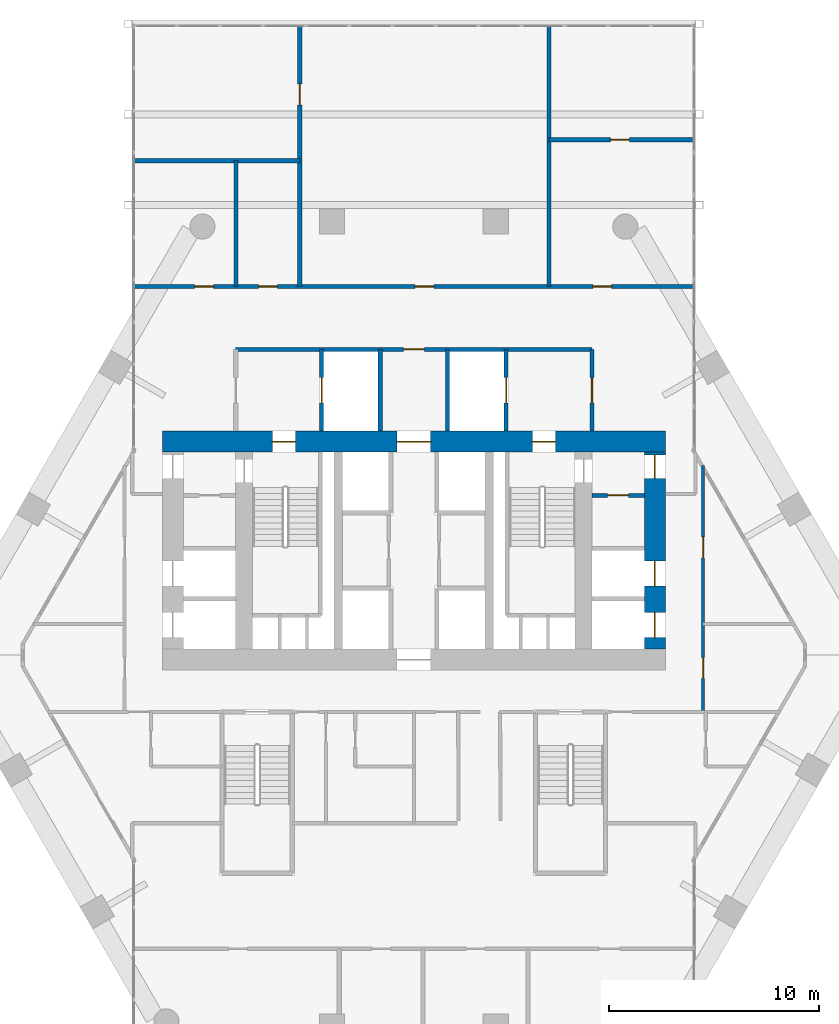
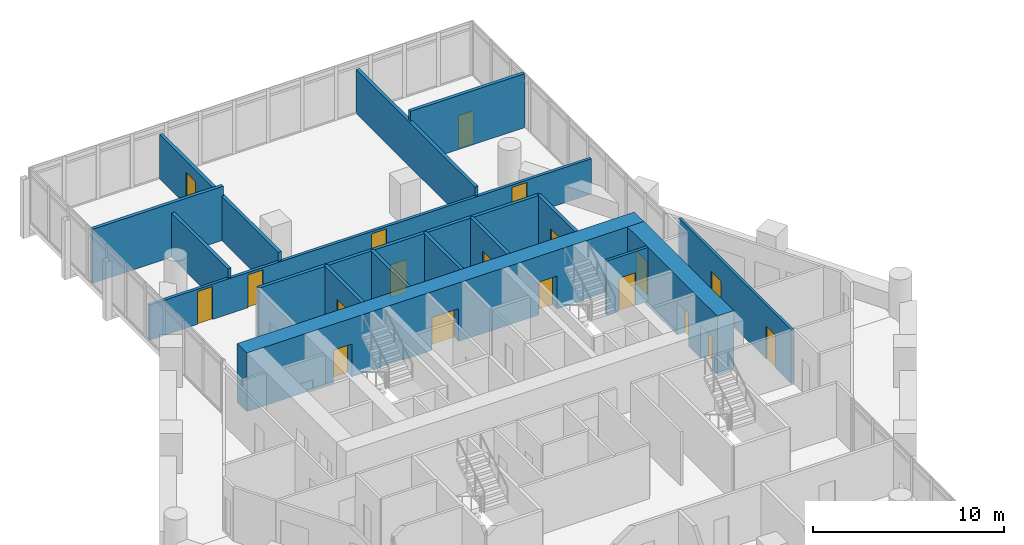
# One storey, part 26 of 28: 19 doors, 16 walls, 19 openings.
"""IFC4 building model written with IfcOpenShell, lengths in metres."""

from ifc_helpers import new_model, si_unit, direction, frame, frame_2d, origin, place, context, subcontext, project, spatial, rectangle, extrude, material, layer, layer_set, type_object, element, fill, save


model = new_model("IFC4")

# Units and contexts
model_context = context("Model", 3, precision=1e-05, world=origin(), true_north=direction((0.0, 1.0)))
body_context = subcontext(model_context, "Body", "Model", "MODEL_VIEW")
ifc_project = project(units=[si_unit("LENGTHUNIT", "METRE"), si_unit("AREAUNIT", "SQUARE_METRE"), si_unit("VOLUMEUNIT", "CUBIC_METRE"), si_unit("PLANEANGLEUNIT", "RADIAN"), si_unit("MASSUNIT", "GRAM", prefix="KILO")], contexts=[model_context])

# Site, building, storey
site_placement = place(None, origin())
site = spatial("IfcSite", under=ifc_project, at=site_placement, CompositionType="ELEMENT")
building_placement = place(site_placement, origin())
building = spatial("IfcBuilding", under=site, at=building_placement, Name="Ostrander Bayou Hotel Tower", CompositionType="ELEMENT")
storey_placement = place(building_placement, frame((0.0, 0.0, 134.75)))
storey = spatial("IfcBuildingStorey", under=building, at=storey_placement, Name="L33", CompositionType="ELEMENT", Elevation=134.75)

# Wall, openings, doors
ifc_material_1 = material(Name="Concrete f'c 70 MPa", Category="concrete")
ifc_layer_1 = layer(ifc_material_1, 1.0)
ifc_layer_set_1 = layer_set([ifc_layer_1], Name="CW4 core wall 1000 mm f'c 70 MPa")
wall_type_1 = type_object("IfcWallType", Name="CW4 core wall 1000 mm f'c 70 MPa", PredefinedType="SHEAR", material=ifc_layer_set_1)
wall_1_placement = place(storey_placement, frame((-12.0, 9.199951171875, -0.300048828125), z_axis=(0.0, 0.0, 1.0), x_axis=(1.0, 0.0, 0.0)))
wall_1 = element("IfcWall", 1, at=wall_1_placement, inside=storey, type_object=wall_type_1, Name="CW4 L33 N", PredefinedType="SHEAR", context=body_context, shape_type="SweptSolid", body=[
    extrude(rectangle(XDim=24.0, YDim=1.0, at=frame_2d((12.0, 0.0))), origin(), (0.0, 0.0, 1.0), 3.75),
])
opening_1_placement = place(wall_1_placement, frame((11.199951171875, 0.0, 0.0)))
opening_1 = element("IfcOpeningElement", 2, at=opening_1_placement, cuts=wall_1, Name="Opening T32-002", PredefinedType="OPENING", context=body_context, shape_type="SweptSolid", body=[
    extrude(rectangle(XDim=1.60009765625, YDim=2.10009765625, at=frame_2d((0.800048828125, 1.050048828125))), frame((0.0, 0.5, 0.0), z_axis=(0.0, -1.0, 0.0), x_axis=(1.0, 0.0, 0.0)), (0.0, 0.0, 1.0), 1.0),
])
opening_2_placement = place(wall_1_placement, frame((5.25, 0.0, 0.0)))
opening_2 = element("IfcOpeningElement", 3, at=opening_2_placement, cuts=wall_1, Name="Opening T32-003", PredefinedType="OPENING", context=body_context, shape_type="SweptSolid", body=[
    extrude(rectangle(XDim=1.10009765625, YDim=2.10009765625, at=frame_2d((0.550048828125, 1.050048828125))), frame((0.0, 0.5, 0.0), z_axis=(0.0, -1.0, 0.0), x_axis=(1.0, 0.0, 0.0)), (0.0, 0.0, 1.0), 1.0),
])
opening_3_placement = place(wall_1_placement, frame((17.64990234375, 0.0, 0.0)))
opening_3 = element("IfcOpeningElement", 4, at=opening_3_placement, cuts=wall_1, Name="Opening T32-005", PredefinedType="OPENING", context=body_context, shape_type="SweptSolid", body=[
    extrude(rectangle(XDim=1.10009765625, YDim=2.10009765625, at=frame_2d((0.550048828125, 1.050048828125))), frame((0.0, 0.5, 0.0), z_axis=(0.0, -1.0, 0.0), x_axis=(1.0, 0.0, 0.0)), (0.0, 0.0, 1.0), 1.0),
])
ifc_material_2 = material(Name="Timber door leaf", Category="wood")
door_type_1 = type_object("IfcDoorType", Name="D13 double door 1600 x 2100 mm, 1 hour", OperationType="SINGLE_SWING_LEFT", PredefinedType="DOOR", material=ifc_material_2)
door_1_placement = place(opening_1_placement, origin())
door_1 = element("IfcDoor", 5, at=door_1_placement, inside=storey, type_object=door_type_1, Name="dr:L33:002", OperationType="DOUBLE_DOOR_SINGLE_SWING", OverallHeight=2.10009765625, OverallWidth=1.60009765625, PredefinedType="DOOR", context=body_context, shape_type="SweptSolid", body=[
    extrude(rectangle(XDim=1.60009765625, YDim=2.10009765625, at=frame_2d((0.800048828125, 1.050048828125))), frame((0.0, 0.02490234375, 0.0), z_axis=(0.0, -1.0, 0.0), x_axis=(1.0, 0.0, 0.0)), (0.0, 0.0, 1.0), 0.050048828125),
])
fill(opening_1, door_1)
ifc_material_3 = material(Name="Timber door leaf", Category="wood")
door_type_2 = type_object("IfcDoorType", Name="D5 stair door 1100 x 2100 mm, 90 minute", OperationType="SINGLE_SWING_LEFT", PredefinedType="DOOR", material=ifc_material_3)
door_2_placement = place(opening_2_placement, origin())
door_2 = element("IfcDoor", 6, at=door_2_placement, inside=storey, type_object=door_type_2, Name="dr:L33:003", OperationType="SINGLE_SWING_LEFT", OverallHeight=2.10009765625, OverallWidth=1.10009765625, PredefinedType="DOOR", context=body_context, shape_type="SweptSolid", body=[
    extrude(rectangle(XDim=1.10009765625, YDim=2.10009765625, at=frame_2d((0.550048828125, 1.050048828125))), frame((0.0, 0.02490234375, 0.0), z_axis=(0.0, -1.0, 0.0), x_axis=(1.0, 0.0, 0.0)), (0.0, 0.0, 1.0), 0.050048828125),
])
fill(opening_2, door_2)
door_3_placement = place(opening_3_placement, origin())
door_3 = element("IfcDoor", 7, at=door_3_placement, inside=storey, type_object=door_type_2, Name="dr:L33:005", OperationType="SINGLE_SWING_RIGHT", OverallHeight=2.10009765625, OverallWidth=1.10009765625, PredefinedType="DOOR", context=body_context, shape_type="SweptSolid", body=[
    extrude(rectangle(XDim=1.10009765625, YDim=2.10009765625, at=frame_2d((0.550048828125, 1.050048828125))), frame((0.0, 0.02490234375, 0.0), z_axis=(0.0, -1.0, 0.0), x_axis=(1.0, 0.0, 0.0)), (0.0, 0.0, 1.0), 0.050048828125),
])
fill(opening_3, door_3)

wall_2_placement = place(storey_placement, frame((11.5, -0.699951171875, -0.300048828125), z_axis=(0.0, 0.0, 1.0), x_axis=(0.0, 1.0, 0.0)))
wall_2 = element("IfcWall", 8, at=wall_2_placement, inside=storey, type_object=wall_type_1, Name="CW4 L33 RE", PredefinedType="SHEAR", context=body_context, shape_type="SweptSolid", body=[
    extrude(rectangle(XDim=9.39990234375, YDim=1.0, at=frame_2d((4.699951171875, 0.0))), origin(), (0.0, 0.0, 1.0), 3.75),
])
opening_4_placement = place(wall_2_placement, frame((8.14990234375, 0.0, 0.0)))
opening_4 = element("IfcOpeningElement", 9, at=opening_4_placement, cuts=wall_2, Name="Opening T32-021", PredefinedType="OPENING", context=body_context, shape_type="SweptSolid", body=[
    extrude(rectangle(XDim=1.10009765625, YDim=2.10009765625, at=frame_2d((0.550048828125, 1.050048828125))), frame((0.0, 0.5, 0.0), z_axis=(0.0, -1.0, 0.0), x_axis=(1.0, 0.0, 0.0)), (0.0, 0.0, 1.0), 1.0),
])
opening_5_placement = place(wall_2_placement, frame((0.550048828125, 0.0, 0.0)))
opening_5 = element("IfcOpeningElement", 10, at=opening_5_placement, cuts=wall_2, Name="Opening T32-022", PredefinedType="OPENING", context=body_context, shape_type="SweptSolid", body=[
    extrude(rectangle(XDim=1.199951171875, YDim=2.10009765625, at=frame_2d((0.60009765625, 1.050048828125))), frame((0.0, 0.5, 0.0), z_axis=(0.0, -1.0, 0.0), x_axis=(1.0, 0.0, 0.0)), (0.0, 0.0, 1.0), 1.0),
])
opening_6_placement = place(wall_2_placement, frame((3.0, 0.0, 0.0)))
opening_6 = element("IfcOpeningElement", 11, at=opening_6_placement, cuts=wall_2, Name="Opening T32-023", PredefinedType="OPENING", context=body_context, shape_type="SweptSolid", body=[
    extrude(rectangle(XDim=1.199951171875, YDim=2.10009765625, at=frame_2d((0.60009765625, 1.050048828125))), frame((0.0, 0.5, 0.0), z_axis=(0.0, -1.0, 0.0), x_axis=(1.0, 0.0, 0.0)), (0.0, 0.0, 1.0), 1.0),
])
door_4_placement = place(opening_4_placement, origin())
door_4 = element("IfcDoor", 12, at=door_4_placement, inside=storey, type_object=door_type_2, Name="dr:L33:021", OperationType="SINGLE_SWING_RIGHT", OverallHeight=2.10009765625, OverallWidth=1.10009765625, PredefinedType="DOOR", context=body_context, shape_type="SweptSolid", body=[
    extrude(rectangle(XDim=1.10009765625, YDim=2.10009765625, at=frame_2d((0.550048828125, 1.050048828125))), frame((0.0, 0.02490234375, 0.0), z_axis=(0.0, -1.0, 0.0), x_axis=(1.0, 0.0, 0.0)), (0.0, 0.0, 1.0), 0.050048828125),
])
fill(opening_4, door_4)
ifc_material_4 = material(Name="Stainless steel sliding door", Category="steel")
door_type_3 = type_object("IfcDoorType", Name="LD1 lift landing door 1200 x 2100 mm", OperationType="SINGLE_SWING_LEFT", PredefinedType="DOOR", material=ifc_material_4)
door_5_placement = place(opening_5_placement, origin())
door_5 = element("IfcDoor", 13, at=door_5_placement, inside=storey, type_object=door_type_3, Name="dr:L33:022", OperationType="SLIDING_TO_LEFT", OverallHeight=2.10009765625, OverallWidth=1.199951171875, PredefinedType="DOOR", context=body_context, shape_type="SweptSolid", body=[
    extrude(rectangle(XDim=1.199951171875, YDim=2.10009765625, at=frame_2d((0.60009765625, 1.050048828125))), frame((0.0, 0.02490234375, 0.0), z_axis=(0.0, -1.0, 0.0), x_axis=(1.0, 0.0, 0.0)), (0.0, 0.0, 1.0), 0.050048828125),
])
fill(opening_5, door_5)
door_6_placement = place(opening_6_placement, origin())
door_6 = element("IfcDoor", 14, at=door_6_placement, inside=storey, type_object=door_type_3, Name="dr:L33:023", OperationType="SLIDING_TO_LEFT", OverallHeight=2.10009765625, OverallWidth=1.199951171875, PredefinedType="DOOR", context=body_context, shape_type="SweptSolid", body=[
    extrude(rectangle(XDim=1.199951171875, YDim=2.10009765625, at=frame_2d((0.60009765625, 1.050048828125))), frame((0.0, 0.02490234375, 0.0), z_axis=(0.0, -1.0, 0.0), x_axis=(1.0, 0.0, 0.0)), (0.0, 0.0, 1.0), 0.050048828125),
])
fill(opening_6, door_6)

# Wall
ifc_material_5 = material(Name="Gypsum board partition", Category="finish")
ifc_layer_2 = layer(ifc_material_5, 0.199951171875)
ifc_layer_set_2 = layer_set([ifc_layer_2], Name="PT3 demising wall 200 mm acoustic double stud, 1 hour")
wall_type_2 = type_object("IfcWallType", Name="PT3 demising wall 200 mm acoustic double stud, 1 hour", PredefinedType="PARTITIONING", material=ifc_layer_set_2)
wall_3_placement = place(storey_placement, frame((-13.34814453125, 22.60009765625, 0.0), z_axis=(0.0, 0.0, 1.0), x_axis=(1.0, 0.0, 0.0)))
element("IfcWall", 15, at=wall_3_placement, inside=storey, type_object=wall_type_2, Name="sw:L33:503", PredefinedType="PARTITIONING", context=body_context, shape_type="SweptSolid", body=[
    extrude(rectangle(XDim=7.906005859375, YDim=0.199951171875, at=frame_2d((3.953125, 0.0))), origin(), (0.0, 0.0, 1.0), 3.449951171875),
])

# Wall, opening, door
wall_4_placement = place(storey_placement, frame((6.442138671875, 23.60009765625, 0.0), z_axis=(0.0, 0.0, 1.0), x_axis=(1.0, 0.0, 0.0)))
wall_4 = element("IfcWall", 16, at=wall_4_placement, inside=storey, type_object=wall_type_2, Name="sw:L33:504", PredefinedType="PARTITIONING", context=body_context, shape_type="SweptSolid", body=[
    extrude(rectangle(XDim=6.906005859375, YDim=0.199951171875, at=frame_2d((3.453125, 0.0))), origin(), (0.0, 0.0, 1.0), 3.449951171875),
])
opening_7_placement = place(wall_4_placement, frame((2.93505859375, 0.0, 0.0)))
opening_7 = element("IfcOpeningElement", 17, at=opening_7_placement, cuts=wall_4, Name="Opening T32-1206", PredefinedType="OPENING", context=body_context, shape_type="SweptSolid", body=[
    extrude(rectangle(XDim=0.89990234375, YDim=2.10009765625, at=frame_2d((0.449951171875, 1.050048828125))), frame((0.0, 0.10009765625, 0.0), z_axis=(0.0, -1.0, 0.0), x_axis=(1.0, 0.0, 0.0)), (0.0, 0.0, 1.0), 0.199951171875),
])
ifc_material_6 = material(Name="Timber door leaf", Category="wood")
door_type_4 = type_object("IfcDoorType", Name="D8 room door 900 x 2100 mm", OperationType="SINGLE_SWING_LEFT", PredefinedType="DOOR", material=ifc_material_6)
door_7_placement = place(opening_7_placement, origin())
door_7 = element("IfcDoor", 18, at=door_7_placement, inside=storey, type_object=door_type_4, Name="dr:L33:1206", OperationType="SINGLE_SWING_RIGHT", OverallHeight=2.10009765625, OverallWidth=0.89990234375, PredefinedType="DOOR", context=body_context, shape_type="SweptSolid", body=[
    extrude(rectangle(XDim=0.89990234375, YDim=2.10009765625, at=frame_2d((0.449951171875, 1.050048828125))), frame((0.0, 0.02490234375, 0.0), z_axis=(0.0, -1.0, 0.0), x_axis=(1.0, 0.0, 0.0)), (0.0, 0.0, 1.0), 0.050048828125),
])
fill(opening_7, door_7)

# Wall
wall_5_placement = place(storey_placement, frame((-8.48193359375, 16.60009765625, 0.0), z_axis=(0.0, 0.0, 1.0), x_axis=(0.0, 1.0, 0.0)))
element("IfcWall", 19, at=wall_5_placement, inside=storey, type_object=wall_type_2, Name="sw:L33:505", PredefinedType="PARTITIONING", context=body_context, shape_type="SweptSolid", body=[
    extrude(rectangle(XDim=6.0, YDim=0.199951171875, at=frame_2d((3.0, 0.0))), origin(), (0.0, 0.0, 1.0), 2.828125),
])

# Wall, opening, door
wall_6_placement = place(storey_placement, frame((-5.44189453125, 16.60009765625, 0.0), z_axis=(0.0, 0.0, 1.0), x_axis=(0.0, 1.0, 0.0)))
wall_6 = element("IfcWall", 20, at=wall_6_placement, inside=storey, type_object=wall_type_2, Name="sw:L33:506", PredefinedType="PARTITIONING", context=body_context, shape_type="SweptSolid", body=[
    extrude(rectangle(XDim=12.41796875, YDim=0.199951171875, at=frame_2d((6.208984375, 0.0))), origin(), (0.0, 0.0, 1.0), 2.828125),
])
opening_8_placement = place(wall_6_placement, frame((8.653564453125, 0.0, 0.0)))
opening_8 = element("IfcOpeningElement", 21, at=opening_8_placement, cuts=wall_6, Name="Opening T32-1207", PredefinedType="OPENING", context=body_context, shape_type="SweptSolid", body=[
    extrude(rectangle(XDim=1.0, YDim=2.10009765625, at=frame_2d((0.5, 1.050048828125))), frame((0.0, 0.10009765625, 0.0), z_axis=(0.0, -1.0, 0.0), x_axis=(1.0, 0.0, 0.0)), (0.0, 0.0, 1.0), 0.199951171875),
])
ifc_material_7 = material(Name="Timber door leaf", Category="wood")
door_type_5 = type_object("IfcDoorType", Name="D9 service door 1000 x 2100 mm, 30 minute", OperationType="SINGLE_SWING_LEFT", PredefinedType="DOOR", material=ifc_material_7)
door_8_placement = place(opening_8_placement, origin())
door_8 = element("IfcDoor", 22, at=door_8_placement, inside=storey, type_object=door_type_5, Name="dr:L33:1207", OperationType="SINGLE_SWING_LEFT", OverallHeight=2.10009765625, OverallWidth=1.0, PredefinedType="DOOR", context=body_context, shape_type="SweptSolid", body=[
    extrude(rectangle(XDim=1.0, YDim=2.10009765625, at=frame_2d((0.5, 1.050048828125))), frame((0.0, 0.02490234375, 0.0), z_axis=(0.0, -1.0, 0.0), x_axis=(1.0, 0.0, 0.0)), (0.0, 0.0, 1.0), 0.050048828125),
])
fill(opening_8, door_8)

# Wall
wall_7_placement = place(storey_placement, frame((6.44189453125, 16.60009765625, 0.0), z_axis=(0.0, 0.0, 1.0), x_axis=(0.0, 1.0, 0.0)))
element("IfcWall", 23, at=wall_7_placement, inside=storey, type_object=wall_type_2, Name="sw:L33:510", PredefinedType="PARTITIONING", context=body_context, shape_type="SweptSolid", body=[
    extrude(rectangle(XDim=12.41796875, YDim=0.199951171875, at=frame_2d((6.208984375, 0.0))), origin(), (0.0, 0.0, 1.0), 2.828125),
])

# Wall, opening, door
ifc_material_8 = material(Name="Gypsum board partition", Category="finish")
ifc_layer_3 = layer(ifc_material_8, 0.175048828125)
ifc_layer_set_3 = layer_set([ifc_layer_3], Name="PT4 corridor wall 175 mm, 1 hour")
wall_type_3 = type_object("IfcWallType", Name="PT4 corridor wall 175 mm, 1 hour", PredefinedType="PARTITIONING", material=ifc_layer_set_3)
wall_8_placement = place(storey_placement, frame((8.5, 6.6298828125, 0.0), z_axis=(0.0, 0.0, 1.0), x_axis=(1.0, 0.0, 0.0)))
wall_8 = element("IfcWall", 24, at=wall_8_placement, inside=storey, type_object=wall_type_3, Name="cs:L33:039", PredefinedType="PARTITIONING", context=body_context, shape_type="SweptSolid", body=[
    extrude(rectangle(XDim=2.5, YDim=0.175048828125, at=frame_2d((1.25, 0.0))), origin(), (0.0, 0.0, 1.0), 3.449951171875),
])
opening_9_placement = place(wall_8_placement, frame((0.75, 0.0, 0.0)))
opening_9 = element("IfcOpeningElement", 25, at=opening_9_placement, cuts=wall_8, Name="Opening T32-020", PredefinedType="OPENING", context=body_context, shape_type="SweptSolid", body=[
    extrude(rectangle(XDim=1.0, YDim=2.10009765625, at=frame_2d((0.5, 1.050048828125))), frame((0.0, 0.08740234375, 0.0), z_axis=(0.0, -1.0, 0.0), x_axis=(1.0, 0.0, 0.0)), (0.0, 0.0, 1.0), 0.175048828125),
])
ifc_material_9 = material(Name="Timber door leaf", Category="wood")
door_type_6 = type_object("IfcDoorType", Name="D4 corridor door 1000 x 2100 mm, 1 hour", OperationType="SINGLE_SWING_LEFT", PredefinedType="DOOR", material=ifc_material_9)
door_9_placement = place(opening_9_placement, origin())
door_9 = element("IfcDoor", 26, at=door_9_placement, inside=storey, type_object=door_type_6, Name="dr:L33:020", OperationType="SINGLE_SWING_RIGHT", OverallHeight=2.10009765625, OverallWidth=1.0, PredefinedType="DOOR", context=body_context, shape_type="SweptSolid", body=[
    extrude(rectangle(XDim=1.0, YDim=2.10009765625, at=frame_2d((0.5, 1.050048828125))), frame((0.0, 0.02490234375, 0.0), z_axis=(0.0, -1.0, 0.0), x_axis=(1.0, 0.0, 0.0)), (0.0, 0.0, 1.0), 0.050048828125),
])
fill(opening_9, door_9)

# Wall, openings, doors
wall_9_placement = place(storey_placement, frame((-13.34814453125, 16.60009765625, 0.0), z_axis=(0.0, 0.0, 1.0), x_axis=(1.0, 0.0, 0.0)))
wall_9 = element("IfcWall", 27, at=wall_9_placement, inside=storey, type_object=wall_type_3, Name="sw:L33:501", PredefinedType="PARTITIONING", context=body_context, shape_type="SweptSolid", body=[
    extrude(rectangle(XDim=26.6962890625, YDim=0.175048828125, at=frame_2d((13.34814453125, 0.0))), origin(), (0.0, 0.0, 1.0), 2.25),
])
opening_10_placement = place(wall_9_placement, frame((21.885498046875, 0.0, 0.0)))
opening_10 = element("IfcOpeningElement", 28, at=opening_10_placement, cuts=wall_9, Name="Opening T32-1205", PredefinedType="OPENING", context=body_context, shape_type="SweptSolid", body=[
    extrude(rectangle(XDim=0.89990234375, YDim=2.10009765625, at=frame_2d((0.449951171875, 1.050048828125))), frame((0.0, 0.08740234375, 0.0), z_axis=(0.0, -1.0, 0.0), x_axis=(1.0, 0.0, 0.0)), (0.0, 0.0, 1.0), 0.175048828125),
])
opening_11_placement = place(wall_9_placement, frame((2.89111328125, 0.0, 0.0)))
opening_11 = element("IfcOpeningElement", 29, at=opening_11_placement, cuts=wall_9, Name="Opening T32-1208", PredefinedType="OPENING", context=body_context, shape_type="SweptSolid", body=[
    extrude(rectangle(XDim=0.89990234375, YDim=2.10009765625, at=frame_2d((0.449951171875, 1.050048828125))), frame((0.0, 0.08740234375, 0.0), z_axis=(0.0, -1.0, 0.0), x_axis=(1.0, 0.0, 0.0)), (0.0, 0.0, 1.0), 0.175048828125),
])
opening_12_placement = place(wall_9_placement, frame((5.93603515625, 0.0, 0.0)))
opening_12 = element("IfcOpeningElement", 30, at=opening_12_placement, cuts=wall_9, Name="Opening T32-1209", PredefinedType="OPENING", context=body_context, shape_type="SweptSolid", body=[
    extrude(rectangle(XDim=0.89990234375, YDim=2.10009765625, at=frame_2d((0.449951171875, 1.050048828125))), frame((0.0, 0.08740234375, 0.0), z_axis=(0.0, -1.0, 0.0), x_axis=(1.0, 0.0, 0.0)), (0.0, 0.0, 1.0), 0.175048828125),
])
opening_13_placement = place(wall_9_placement, frame((13.398193359375, 0.0, 0.0)))
opening_13 = element("IfcOpeningElement", 31, at=opening_13_placement, cuts=wall_9, Name="Opening T32-1210", PredefinedType="OPENING", context=body_context, shape_type="SweptSolid", body=[
    extrude(rectangle(XDim=0.89990234375, YDim=2.10009765625, at=frame_2d((0.449951171875, 1.050048828125))), frame((0.0, 0.08740234375, 0.0), z_axis=(0.0, -1.0, 0.0), x_axis=(1.0, 0.0, 0.0)), (0.0, 0.0, 1.0), 0.175048828125),
])
door_10_placement = place(opening_10_placement, origin())
door_10 = element("IfcDoor", 32, at=door_10_placement, inside=storey, type_object=door_type_4, Name="dr:L33:1205", OperationType="SINGLE_SWING_LEFT", OverallHeight=2.10009765625, OverallWidth=0.89990234375, PredefinedType="DOOR", context=body_context, shape_type="SweptSolid", body=[
    extrude(rectangle(XDim=0.89990234375, YDim=2.10009765625, at=frame_2d((0.449951171875, 1.050048828125))), frame((0.0, 0.02490234375, 0.0), z_axis=(0.0, -1.0, 0.0), x_axis=(1.0, 0.0, 0.0)), (0.0, 0.0, 1.0), 0.050048828125),
])
fill(opening_10, door_10)
door_11_placement = place(opening_11_placement, origin())
door_11 = element("IfcDoor", 33, at=door_11_placement, inside=storey, type_object=door_type_4, Name="dr:L33:1208", OperationType="SINGLE_SWING_RIGHT", OverallHeight=2.10009765625, OverallWidth=0.89990234375, PredefinedType="DOOR", context=body_context, shape_type="SweptSolid", body=[
    extrude(rectangle(XDim=0.89990234375, YDim=2.10009765625, at=frame_2d((0.449951171875, 1.050048828125))), frame((0.0, 0.02490234375, 0.0), z_axis=(0.0, -1.0, 0.0), x_axis=(1.0, 0.0, 0.0)), (0.0, 0.0, 1.0), 0.050048828125),
])
fill(opening_11, door_11)
door_12_placement = place(opening_12_placement, origin())
door_12 = element("IfcDoor", 34, at=door_12_placement, inside=storey, type_object=door_type_4, Name="dr:L33:1209", OperationType="SINGLE_SWING_LEFT", OverallHeight=2.10009765625, OverallWidth=0.89990234375, PredefinedType="DOOR", context=body_context, shape_type="SweptSolid", body=[
    extrude(rectangle(XDim=0.89990234375, YDim=2.10009765625, at=frame_2d((0.449951171875, 1.050048828125))), frame((0.0, 0.02490234375, 0.0), z_axis=(0.0, -1.0, 0.0), x_axis=(1.0, 0.0, 0.0)), (0.0, 0.0, 1.0), 0.050048828125),
])
fill(opening_12, door_12)
door_13_placement = place(opening_13_placement, origin())
door_13 = element("IfcDoor", 35, at=door_13_placement, inside=storey, type_object=door_type_4, Name="dr:L33:1210", OperationType="SINGLE_SWING_RIGHT", OverallHeight=2.10009765625, OverallWidth=0.89990234375, PredefinedType="DOOR", context=body_context, shape_type="SweptSolid", body=[
    extrude(rectangle(XDim=0.89990234375, YDim=2.10009765625, at=frame_2d((0.449951171875, 1.050048828125))), frame((0.0, 0.02490234375, 0.0), z_axis=(0.0, -1.0, 0.0), x_axis=(1.0, 0.0, 0.0)), (0.0, 0.0, 1.0), 0.050048828125),
])
fill(opening_13, door_13)

# Wall, opening, door
ifc_material_10 = material(Name="Masonry block", Category="masonry")
ifc_layer_4 = layer(ifc_material_10, 0.199951171875)
ifc_layer_set_4 = layer_set([ifc_layer_4], Name="PT5 stair enclosure wall 200 mm masonry, 2 hour")
wall_type_4 = type_object("IfcWallType", Name="PT5 stair enclosure wall 200 mm masonry, 2 hour", PredefinedType="PARTITIONING", material=ifc_layer_set_4)
wall_10_placement = place(storey_placement, frame((-8.5, 13.60009765625, 0.0), z_axis=(0.0, 0.0, 1.0), x_axis=(1.0, 0.0, 0.0)))
wall_10 = element("IfcWall", 36, at=wall_10_placement, inside=storey, type_object=wall_type_4, Name="cs:L33:025", PredefinedType="PARTITIONING", context=body_context, shape_type="SweptSolid", body=[
    extrude(rectangle(XDim=17.0, YDim=0.199951171875, at=frame_2d((8.5, 0.0))), origin(), (0.0, 0.0, 1.0), 3.449951171875),
])
opening_14_placement = place(wall_10_placement, frame((8.0, 0.0, 0.0)))
opening_14 = element("IfcOpeningElement", 37, at=opening_14_placement, cuts=wall_10, Name="Opening T32-013", PredefinedType="OPENING", context=body_context, shape_type="SweptSolid", body=[
    extrude(rectangle(XDim=1.0, YDim=2.10009765625, at=frame_2d((0.5, 1.050048828125))), frame((0.0, 0.10009765625, 0.0), z_axis=(0.0, -1.0, 0.0), x_axis=(1.0, 0.0, 0.0)), (0.0, 0.0, 1.0), 0.199951171875),
])
door_14_placement = place(opening_14_placement, origin())
door_14 = element("IfcDoor", 38, at=door_14_placement, inside=storey, type_object=door_type_5, Name="dr:L33:013", OperationType="SINGLE_SWING_LEFT", OverallHeight=2.10009765625, OverallWidth=1.0, PredefinedType="DOOR", context=body_context, shape_type="SweptSolid", body=[
    extrude(rectangle(XDim=1.0, YDim=2.10009765625, at=frame_2d((0.5, 1.050048828125))), frame((0.0, 0.02490234375, 0.0), z_axis=(0.0, -1.0, 0.0), x_axis=(1.0, 0.0, 0.0)), (0.0, 0.0, 1.0), 0.050048828125),
])
fill(opening_14, door_14)

wall_11_placement = place(storey_placement, frame((8.5, 9.699951171875, 0.0), z_axis=(0.0, 0.0, 1.0), x_axis=(0.0, 1.0, 0.0)))
wall_11 = element("IfcWall", 39, at=wall_11_placement, inside=storey, type_object=wall_type_4, Name="cs:L33:027", PredefinedType="PARTITIONING", context=body_context, shape_type="SweptSolid", body=[
    extrude(rectangle(XDim=3.900146484375, YDim=0.199951171875, at=frame_2d((1.9501953125, 0.0))), origin(), (0.0, 0.0, 1.0), 3.449951171875),
])
opening_15_placement = place(wall_11_placement, frame((1.35009765625, 0.0, 0.0)))
opening_15 = element("IfcOpeningElement", 40, at=opening_15_placement, cuts=wall_11, Name="Opening T32-012", PredefinedType="OPENING", context=body_context, shape_type="SweptSolid", body=[
    extrude(rectangle(XDim=1.199951171875, YDim=2.10009765625, at=frame_2d((0.60009765625, 1.050048828125))), frame((0.0, 0.10009765625, 0.0), z_axis=(0.0, -1.0, 0.0), x_axis=(1.0, 0.0, 0.0)), (0.0, 0.0, 1.0), 0.199951171875),
])
ifc_material_11 = material(Name="Timber door leaf", Category="wood")
door_type_7 = type_object("IfcDoorType", Name="D7 lobby door 1200 x 2100 mm, 1 hour", OperationType="SINGLE_SWING_LEFT", PredefinedType="DOOR", material=ifc_material_11)
door_15_placement = place(opening_15_placement, origin())
door_15 = element("IfcDoor", 41, at=door_15_placement, inside=storey, type_object=door_type_7, Name="dr:L33:012", OperationType="SINGLE_SWING_LEFT", OverallHeight=2.10009765625, OverallWidth=1.199951171875, PredefinedType="DOOR", context=body_context, shape_type="SweptSolid", body=[
    extrude(rectangle(XDim=1.199951171875, YDim=2.10009765625, at=frame_2d((0.60009765625, 1.050048828125))), frame((0.0, 0.02490234375, 0.0), z_axis=(0.0, -1.0, 0.0), x_axis=(1.0, 0.0, 0.0)), (0.0, 0.0, 1.0), 0.050048828125),
])
fill(opening_15, door_15)

wall_12_placement = place(storey_placement, frame((-4.39990234375, 9.699951171875, 0.0), z_axis=(0.0, 0.0, 1.0), x_axis=(0.0, 1.0, 0.0)))
wall_12 = element("IfcWall", 42, at=wall_12_placement, inside=storey, type_object=wall_type_4, Name="cs:L33:028", PredefinedType="PARTITIONING", context=body_context, shape_type="SweptSolid", body=[
    extrude(rectangle(XDim=3.900146484375, YDim=0.199951171875, at=frame_2d((1.9501953125, 0.0))), origin(), (0.0, 0.0, 1.0), 3.449951171875),
])
opening_16_placement = place(wall_12_placement, frame((1.35009765625, 0.0, 0.0)))
opening_16 = element("IfcOpeningElement", 43, at=opening_16_placement, cuts=wall_12, Name="Opening T32-009", PredefinedType="OPENING", context=body_context, shape_type="SweptSolid", body=[
    extrude(rectangle(XDim=1.199951171875, YDim=2.10009765625, at=frame_2d((0.60009765625, 1.050048828125))), frame((0.0, 0.10009765625, 0.0), z_axis=(0.0, -1.0, 0.0), x_axis=(1.0, 0.0, 0.0)), (0.0, 0.0, 1.0), 0.199951171875),
])
door_16_placement = place(opening_16_placement, origin())
door_16 = element("IfcDoor", 44, at=door_16_placement, inside=storey, type_object=door_type_3, Name="dr:L33:009", OperationType="SLIDING_TO_LEFT", OverallHeight=2.10009765625, OverallWidth=1.199951171875, PredefinedType="DOOR", context=body_context, shape_type="SweptSolid", body=[
    extrude(rectangle(XDim=1.199951171875, YDim=2.10009765625, at=frame_2d((0.60009765625, 1.050048828125))), frame((0.0, 0.02490234375, 0.0), z_axis=(0.0, -1.0, 0.0), x_axis=(1.0, 0.0, 0.0)), (0.0, 0.0, 1.0), 0.050048828125),
])
fill(opening_16, door_16)

wall_13_placement = place(storey_placement, frame((4.39990234375, 9.699951171875, 0.0), z_axis=(0.0, 0.0, 1.0), x_axis=(0.0, 1.0, 0.0)))
wall_13 = element("IfcWall", 45, at=wall_13_placement, inside=storey, type_object=wall_type_4, Name="cs:L33:029", PredefinedType="PARTITIONING", context=body_context, shape_type="SweptSolid", body=[
    extrude(rectangle(XDim=3.900146484375, YDim=0.199951171875, at=frame_2d((1.9501953125, 0.0))), origin(), (0.0, 0.0, 1.0), 3.449951171875),
])
opening_17_placement = place(wall_13_placement, frame((1.35009765625, 0.0, 0.0)))
opening_17 = element("IfcOpeningElement", 46, at=opening_17_placement, cuts=wall_13, Name="Opening T32-011", PredefinedType="OPENING", context=body_context, shape_type="SweptSolid", body=[
    extrude(rectangle(XDim=1.199951171875, YDim=2.10009765625, at=frame_2d((0.60009765625, 1.050048828125))), frame((0.0, 0.10009765625, 0.0), z_axis=(0.0, -1.0, 0.0), x_axis=(1.0, 0.0, 0.0)), (0.0, 0.0, 1.0), 0.199951171875),
])
door_17_placement = place(opening_17_placement, origin())
door_17 = element("IfcDoor", 47, at=door_17_placement, inside=storey, type_object=door_type_3, Name="dr:L33:011", OperationType="SLIDING_TO_LEFT", OverallHeight=2.10009765625, OverallWidth=1.199951171875, PredefinedType="DOOR", context=body_context, shape_type="SweptSolid", body=[
    extrude(rectangle(XDim=1.199951171875, YDim=2.10009765625, at=frame_2d((0.60009765625, 1.050048828125))), frame((0.0, 0.02490234375, 0.0), z_axis=(0.0, -1.0, 0.0), x_axis=(1.0, 0.0, 0.0)), (0.0, 0.0, 1.0), 0.050048828125),
])
fill(opening_17, door_17)

# Walls
ifc_material_12 = material(Name="Masonry block", Category="masonry")
ifc_layer_5 = layer(ifc_material_12, 0.199951171875)
ifc_layer_set_5 = layer_set([ifc_layer_5], Name="PT6 lift shaft wall 200 mm masonry, 2 hour")
wall_type_5 = type_object("IfcWallType", Name="PT6 lift shaft wall 200 mm masonry, 2 hour", PredefinedType="PARTITIONING", material=ifc_layer_set_5)
for number, where, z_axis, x_axis, name in (
    (48, (-1.60009765625, 9.699951171875, 0.0), (0.0, 0.0, 1.0), (0.0, 1.0, 0.0), "cs:L33:030"),
    (49, (1.60009765625, 9.699951171875, 0.0), (0.0, 0.0, 1.0), (0.0, 1.0, 0.0), "cs:L33:031"),
):
    element("IfcWall", number, at=place(storey_placement, frame(where, z_axis=z_axis, x_axis=x_axis)), inside=storey, type_object=wall_type_5, Name=name, PredefinedType="PARTITIONING", context=body_context, shape_type="SweptSolid", body=[
        extrude(rectangle(XDim=3.900146484375, YDim=0.199951171875, at=frame_2d((1.9501953125, 0.0))), origin(), (0.0, 0.0, 1.0), 3.449951171875),
    ])

# Wall, openings, doors
ifc_material_13 = material(Name="Gypsum board partition", Category="finish")
ifc_layer_6 = layer(ifc_material_13, 0.14990234375)
ifc_layer_set_6 = layer_set([ifc_layer_6], Name="PT8 service band wall 150 mm, 1 hour")
wall_type_6 = type_object("IfcWallType", Name="PT8 service band wall 150 mm, 1 hour", PredefinedType="PARTITIONING", material=ifc_layer_set_6)
wall_14_placement = place(storey_placement, frame((13.800048828125, -3.699951171875, 0.0), z_axis=(0.0, 0.0, 1.0), x_axis=(0.0, 1.0, 0.0)))
wall_14 = element("IfcWall", 50, at=wall_14_placement, inside=storey, type_object=wall_type_6, Name="gw:L33:016", PredefinedType="PARTITIONING", context=body_context, shape_type="SweptSolid", body=[
    extrude(rectangle(XDim=11.751953125, YDim=0.14990234375, at=frame_2d((5.8759765625, 0.0))), origin(), (0.0, 0.0, 1.0), 3.449951171875),
])
opening_18_placement = place(wall_14_placement, frame((1.60009765625, 0.0, 0.0)))
opening_18 = element("IfcOpeningElement", 51, at=opening_18_placement, cuts=wall_14, Name="Opening T32-410", PredefinedType="OPENING", context=body_context, shape_type="SweptSolid", body=[
    extrude(rectangle(XDim=1.0, YDim=2.10009765625, at=frame_2d((0.5, 1.050048828125))), frame((0.0, 0.074951171875, 0.0), z_axis=(0.0, -1.0, 0.0), x_axis=(1.0, 0.0, 0.0)), (0.0, 0.0, 1.0), 0.14990234375),
])
opening_19_placement = place(wall_14_placement, frame((7.35302734375, 0.0, 0.0)))
opening_19 = element("IfcOpeningElement", 52, at=opening_19_placement, cuts=wall_14, Name="Opening T32-411", PredefinedType="OPENING", context=body_context, shape_type="SweptSolid", body=[
    extrude(rectangle(XDim=1.0, YDim=2.10009765625, at=frame_2d((0.5, 1.050048828125))), frame((0.0, 0.074951171875, 0.0), z_axis=(0.0, -1.0, 0.0), x_axis=(1.0, 0.0, 0.0)), (0.0, 0.0, 1.0), 0.14990234375),
])
ifc_material_14 = material(Name="Timber door leaf", Category="wood")
door_type_8 = type_object("IfcDoorType", Name="D15 room door 1000 x 2100 mm", OperationType="SINGLE_SWING_LEFT", PredefinedType="DOOR", material=ifc_material_14)
door_18_placement = place(opening_18_placement, origin())
door_18 = element("IfcDoor", 53, at=door_18_placement, inside=storey, type_object=door_type_8, Name="dr:L33:410", OperationType="SINGLE_SWING_LEFT", OverallHeight=2.10009765625, OverallWidth=1.0, PredefinedType="DOOR", context=body_context, shape_type="SweptSolid", body=[
    extrude(rectangle(XDim=1.0, YDim=2.10009765625, at=frame_2d((0.5, 1.050048828125))), frame((0.0, 0.02490234375, 0.0), z_axis=(0.0, -1.0, 0.0), x_axis=(1.0, 0.0, 0.0)), (0.0, 0.0, 1.0), 0.050048828125),
])
fill(opening_18, door_18)
door_19_placement = place(opening_19_placement, origin())
door_19 = element("IfcDoor", 54, at=door_19_placement, inside=storey, type_object=door_type_5, Name="dr:L33:411", OperationType="SINGLE_SWING_LEFT", OverallHeight=2.10009765625, OverallWidth=1.0, PredefinedType="DOOR", context=body_context, shape_type="SweptSolid", body=[
    extrude(rectangle(XDim=1.0, YDim=2.10009765625, at=frame_2d((0.5, 1.050048828125))), frame((0.0, 0.02490234375, 0.0), z_axis=(0.0, -1.0, 0.0), x_axis=(1.0, 0.0, 0.0)), (0.0, 0.0, 1.0), 0.050048828125),
])
fill(opening_19, door_19)

save(model, "model.ifc")
